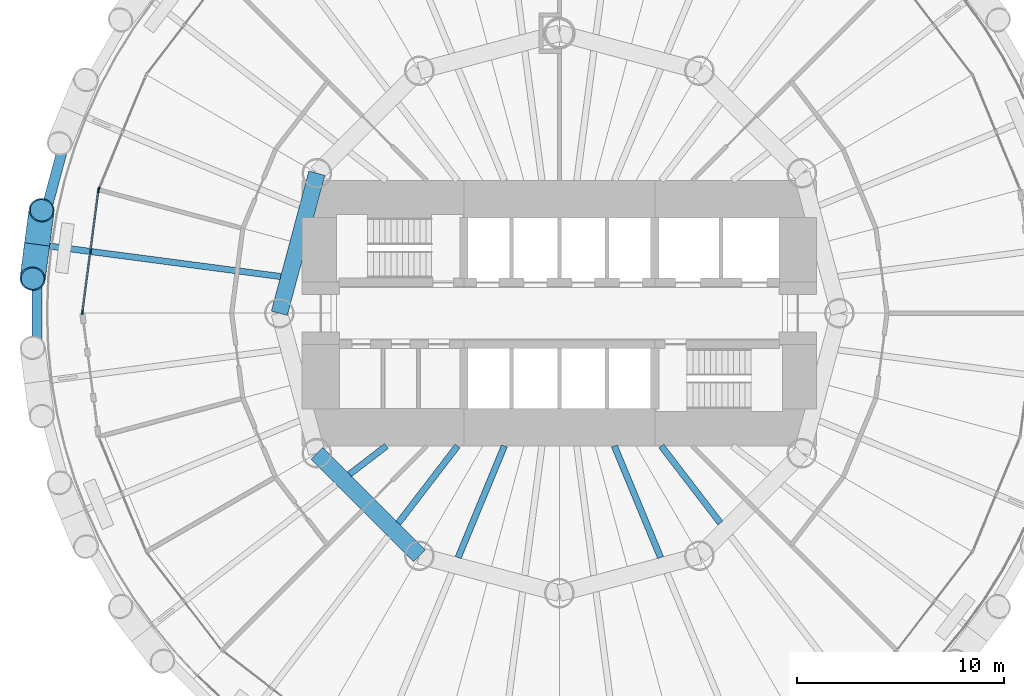
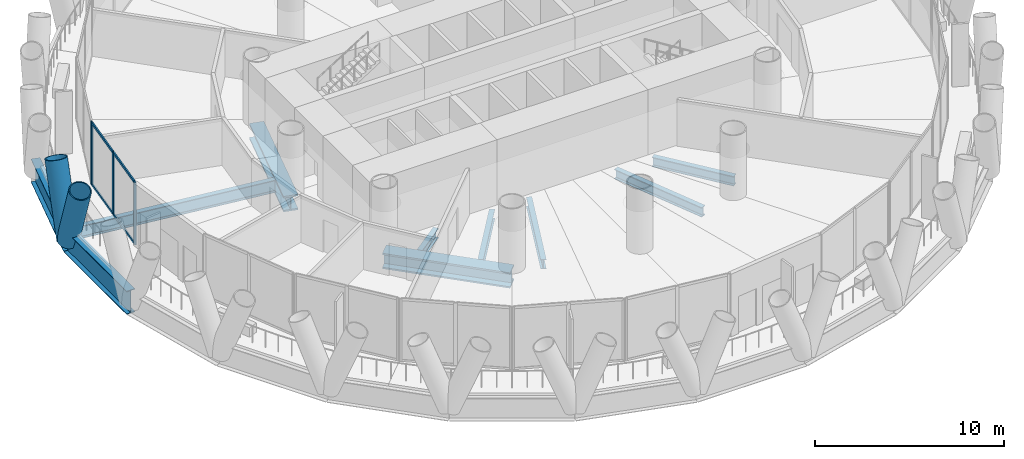
# One storey, part 3 of 14: 10 beams, 10 members, 2 elements without a shape of their own.
"""IFC4 building model written with IfcOpenShell, lengths in metres."""

from ifc_helpers import new_model, si_unit, direction, frame, origin, origin_2d, place, context, subcontext, project, spatial, rectangle, hollow_circle, i_section, extrude, material, material_profile, profile_set, type_object, element, aggregate, save


model = new_model("IFC4")

# Units and contexts
model_context = context("Model", 3, precision=1e-05, world=origin(), true_north=direction((0.0, 1.0)))
body_context = subcontext(model_context, "Body", "Model", "MODEL_VIEW")
ifc_project = project(units=[si_unit("LENGTHUNIT", "METRE"), si_unit("AREAUNIT", "SQUARE_METRE"), si_unit("VOLUMEUNIT", "CUBIC_METRE"), si_unit("PLANEANGLEUNIT", "RADIAN"), si_unit("MASSUNIT", "GRAM", prefix="KILO")], contexts=[model_context])

# Site, building, storey
site_placement = place(None, origin())
site = spatial("IfcSite", under=ifc_project, at=site_placement, CompositionType="ELEMENT")
building_placement = place(site_placement, origin())
building = spatial("IfcBuilding", under=site, at=building_placement, Name="Qaws Media Tower", CompositionType="ELEMENT")
storey_placement = place(building_placement, frame((0.0, 0.0, 68.0)))
storey = spatial("IfcBuildingStorey", under=building, at=storey_placement, Name="L14", CompositionType="ELEMENT", Elevation=68.0)

# Curtain wall, member
ifc_material_1 = material(Name="Aluminium and clear glass", Category="aluminium")
curtain_wall_type = type_object("IfcCurtainWallType", Name="Unitised curtain wall CW-A", PredefinedType="NOTDEFINED", material=ifc_material_1)
curtain_wall_1_placement = place(storey_placement, origin())
curtain_wall_1 = element("IfcCurtainWall", 1, at=curtain_wall_1_placement, inside=storey, type_object=curtain_wall_type, Name="CWA curtain wall L14-11", PredefinedType="NOTDEFINED")
ifc_material_2 = material(Name="Aluminium mullion", Category="aluminium")
ifc_material_profile_1 = material_profile(ifc_material_2, rectangle(XDim=0.080078125, YDim=0.199951171875, at=origin_2d()), Name="80x200")
ifc_profile_set_1 = profile_set([ifc_material_profile_1], Name="Aluminium mullion")
member_type_1 = type_object("IfcMemberType", Name="Curtain wall mullion 80x200", PredefinedType="MULLION", material=ifc_profile_set_1)
member_1_placement = place(storey_placement, frame((37.799072265625, 55.98974609375, 0.0), z_axis=(0.0, 0.0, 1.0), x_axis=(0.923879516795, -0.382683470307, 0.0)))
member_1 = element("IfcMember", 2, at=member_1_placement, type_object=member_type_1, Name="CWA mullion 3", PredefinedType="MULLION", context=body_context, shape_type="SweptSolid", body=[
    extrude(rectangle(XDim=0.080078125, YDim=0.199951171875, at=origin_2d()), origin(), (0.0, 0.0, 1.0), 4.0400390625),
])
aggregate(curtain_wall_1, [member_1])

# Curtain wall, members
curtain_wall_2_placement = place(storey_placement, origin())
curtain_wall_2 = element("IfcCurtainWall", 3, at=curtain_wall_2_placement, inside=storey, type_object=curtain_wall_type, Name="CWA curtain wall L14-12", PredefinedType="NOTDEFINED")
member_2_placement = place(storey_placement, frame((37.778564453125, 55.9130859375, 0.0), z_axis=(0.0, 0.0, 1.0), x_axis=(0.991444861167, -0.130526193795, 0.0)))
member_2 = element("IfcMember", 4, at=member_2_placement, type_object=member_type_1, Name="CWA mullion 1", PredefinedType="MULLION", context=body_context, shape_type="SweptSolid", body=[
    extrude(rectangle(XDim=0.080078125, YDim=0.199951171875, at=origin_2d()), origin(), (0.0, 0.0, 1.0), 4.0400390625),
])
member_3_placement = place(storey_placement, frame((37.391845703125, 52.976318359375, 0.0), z_axis=(0.0, 0.0, 1.0), x_axis=(0.991444861167, -0.130526193795, 0.0)))
member_3 = element("IfcMember", 5, at=member_3_placement, type_object=member_type_1, Name="CWA mullion 2", PredefinedType="MULLION", context=body_context, shape_type="SweptSolid", body=[
    extrude(rectangle(XDim=0.080078125, YDim=0.199951171875, at=origin_2d()), origin(), (0.0, 0.0, 1.0), 4.0400390625),
])
member_4_placement = place(storey_placement, frame((37.005126953125, 50.03955078125, 0.0), z_axis=(0.0, 0.0, 1.0), x_axis=(0.991444861167, -0.130526193795, 0.0)))
member_4 = element("IfcMember", 6, at=member_4_placement, type_object=member_type_1, Name="CWA mullion 3", PredefinedType="MULLION", context=body_context, shape_type="SweptSolid", body=[
    extrude(rectangle(XDim=0.080078125, YDim=0.199951171875, at=origin_2d()), origin(), (0.0, 0.0, 1.0), 4.0400390625),
])
ifc_material_3 = material(Name="Aluminium transom", Category="aluminium")
ifc_material_profile_2 = material_profile(ifc_material_3, rectangle(XDim=0.080078125, YDim=0.159912109375, at=origin_2d()), Name="80x160")
ifc_profile_set_2 = profile_set([ifc_material_profile_2], Name="Aluminium transom")
member_type_2 = type_object("IfcMemberType", Name="Curtain wall transom 80x160", PredefinedType="USERDEFINED", material=ifc_profile_set_2)
member_5_placement = place(storey_placement, frame((37.773193359375, 55.87353515625, 0.0400390625), z_axis=(-0.130537780274, -0.991443335709, 0.0), x_axis=(0.991443335709, -0.130537780274, 0.0)))
member_5 = element("IfcMember", 7, at=member_5_placement, type_object=member_type_2, Name="CWA transom 1.1", ObjectType="TRANSOM", PredefinedType="USERDEFINED", context=body_context, shape_type="SweptSolid", body=[
    extrude(rectangle(XDim=0.080078125, YDim=0.159912109375, at=origin_2d()), origin(), (0.0, 0.0, 1.0), 2.882080078125),
])
member_6_placement = place(storey_placement, frame((37.773193359375, 55.87353515625, 4.0), z_axis=(-0.130537780274, -0.991443335709, 0.0), x_axis=(0.991443335709, -0.130537780274, 0.0)))
member_6 = element("IfcMember", 8, at=member_6_placement, type_object=member_type_2, Name="CWA transom 1.2", ObjectType="TRANSOM", PredefinedType="USERDEFINED", context=body_context, shape_type="SweptSolid", body=[
    extrude(rectangle(XDim=0.080078125, YDim=0.159912109375, at=origin_2d()), origin(), (0.0, 0.0, 1.0), 2.882080078125),
])
member_7_placement = place(storey_placement, frame((37.38671875, 52.936767578125, 0.0400390625), z_axis=(-0.130537780274, -0.991443335709, 0.0), x_axis=(0.991443335709, -0.130537780274, 0.0)))
member_7 = element("IfcMember", 9, at=member_7_placement, type_object=member_type_2, Name="CWA transom 2.1", ObjectType="TRANSOM", PredefinedType="USERDEFINED", context=body_context, shape_type="SweptSolid", body=[
    extrude(rectangle(XDim=0.080078125, YDim=0.159912109375, at=origin_2d()), origin(), (0.0, 0.0, 1.0), 2.882080078125),
])
member_8_placement = place(storey_placement, frame((37.38671875, 52.936767578125, 4.0), z_axis=(-0.130537780274, -0.991443335709, 0.0), x_axis=(0.991443335709, -0.130537780274, 0.0)))
member_8 = element("IfcMember", 10, at=member_8_placement, type_object=member_type_2, Name="CWA transom 2.2", ObjectType="TRANSOM", PredefinedType="USERDEFINED", context=body_context, shape_type="SweptSolid", body=[
    extrude(rectangle(XDim=0.080078125, YDim=0.159912109375, at=origin_2d()), origin(), (0.0, 0.0, 1.0), 2.882080078125),
])
aggregate(curtain_wall_2, [member_2, member_3, member_4, member_5, member_6, member_7, member_8])

# Members
ifc_material_4 = material(Name="Steel S460", Category="steel")
ifc_material_profile_3 = material_profile(ifc_material_4, hollow_circle(Radius=0.609619140625, WallThickness=0.06005859375, at=origin_2d()), Name="CHS 1219x60")
ifc_profile_set_3 = profile_set([ifc_material_profile_3], Name="Steel S460")
member_type_3 = type_object("IfcMemberType", Name="Diagrid member CHS 1219x60", PredefinedType="USERDEFINED", material=ifc_profile_set_3)
for number, where, z_axis, x_axis, name in (
    (11, (34.8173828125, 53.3154296875, -0.909912109375), (-0.047122866406, -0.365418374584, 0.929649851814), (0.991787471747, -0.127896875978, 0.0), "DG1 diagrid L14 A12"),
    (12, (34.8173828125, 53.3154296875, -0.909912109375), (0.049068557688, 0.365150048786, 0.929654623244), (-0.991091589873, 0.133182057659, 0.0), "DG1 diagrid L14 B12"),
):
    element("IfcMember", number, at=place(storey_placement, frame(where, z_axis=z_axis, x_axis=x_axis)), inside=storey, type_object=member_type_3, Name=name, ObjectType="DIAGRID", PredefinedType="USERDEFINED", context=body_context, shape_type="SweptSolid", body=[
        extrude(hollow_circle(Radius=0.609619140625, WallThickness=0.06005859375, at=origin_2d()), origin(), (0.0, 0.0, 1.0), 4.517822265625),
    ])

# Beams
ifc_material_5 = material(Name="Steel S460", Category="steel")
ifc_material_profile_4 = material_profile(ifc_material_5, i_section(OverallWidth=0.5, OverallDepth=1.5, WebThickness=0.02001953125, FlangeThickness=0.0400390625, at=origin_2d()), Name="PG 1500x500")
ifc_profile_set_4 = profile_set([ifc_material_profile_4], Name="Steel S460")
beam_type_1 = type_object("IfcBeamType", Name="Edge ring beam PG 1500x500", PredefinedType="BEAM", material=ifc_profile_set_4)
beam_1_placement = place(storey_placement, frame((36.533447265625, 59.72021484375, -0.909912109375), z_axis=(-0.258806021256, -0.965929315924, 0.0), x_axis=(0.965929315924, -0.258806021256, 0.0)))
element("IfcBeam", 13, at=beam_1_placement, inside=storey, type_object=beam_type_1, Name="RB4 edge ring beam L14-11", PredefinedType="BEAM", context=body_context, shape_type="SweptSolid", body=[
    extrude(i_section(OverallWidth=0.5, OverallDepth=1.5, WebThickness=0.02001953125, FlangeThickness=0.0400390625, at=origin_2d()), origin(), (0.0, 0.0, 1.0), 6.630615234375),
])
beam_2_placement = place(storey_placement, frame((34.8173828125, 53.3154296875, -0.909912109375), z_axis=(0.0, -1.0, 0.0), x_axis=(1.0, 0.0, 0.0)))
element("IfcBeam", 14, at=beam_2_placement, inside=storey, type_object=beam_type_1, Name="RB4 edge ring beam L14-12", PredefinedType="BEAM", context=body_context, shape_type="SweptSolid", body=[
    extrude(i_section(OverallWidth=0.5, OverallDepth=1.5, WebThickness=0.02001953125, FlangeThickness=0.0400390625, at=origin_2d()), origin(), (0.0, 0.0, 1.0), 6.630859375),
])
ifc_material_6 = material(Name="Steel S460", Category="steel")
ifc_material_profile_5 = material_profile(ifc_material_6, i_section(OverallWidth=0.800048828125, OverallDepth=1.0, WebThickness=0.0400390625, FlangeThickness=0.10009765625, at=origin_2d()), Name="PG 1000x800")
ifc_profile_set_5 = profile_set([ifc_material_profile_5], Name="Steel S460")
beam_type_2 = type_object("IfcBeamType", Name="Inner ring girder PG 1000x800", PredefinedType="BEAM", material=ifc_profile_set_5)
beam_3_placement = place(storey_placement, frame((48.30859375, 56.75, -0.659912109375), z_axis=(-0.258810593767, -0.965928090778, 0.0), x_axis=(0.965928090778, -0.258810593767, 0.0)))
element("IfcBeam", 15, at=beam_3_placement, inside=storey, type_object=beam_type_2, Name="B3 inner ring beam L14 I06-I07", PredefinedType="BEAM", context=body_context, shape_type="SweptSolid", body=[
    extrude(i_section(OverallWidth=0.800048828125, OverallDepth=1.0, WebThickness=0.0400390625, FlangeThickness=0.10009765625, at=origin_2d()), origin(), (0.0, 0.0, 1.0), 6.988037109375),
])
beam_4_placement = place(storey_placement, frame((48.30859375, 43.25, -0.659912109375), z_axis=(0.707106781187, -0.707106781187, 0.0), x_axis=(0.707106781187, 0.707106781187, 0.0)))
element("IfcBeam", 16, at=beam_4_placement, inside=storey, type_object=beam_type_2, Name="B3 inner ring beam L14 I08-I09", PredefinedType="BEAM", context=body_context, shape_type="SweptSolid", body=[
    extrude(i_section(OverallWidth=0.800048828125, OverallDepth=1.0, WebThickness=0.0400390625, FlangeThickness=0.10009765625, at=origin_2d()), origin(), (0.0, 0.0, 1.0), 6.98828125),
])
ifc_material_7 = material(Name="Steel S355", Category="steel")
ifc_material_profile_6 = material_profile(ifc_material_7, i_section(OverallWidth=0.304931640625, OverallDepth=0.6201171875, WebThickness=0.02099609375, FlangeThickness=0.0400390625, FilletRadius=0.027099609375, at=origin_2d()), Name="HE 600 M")
ifc_profile_set_6 = profile_set([ifc_material_profile_6], Name="Steel S355")
beam_type_3 = type_object("IfcBeamType", Name="Radial beam HE 600 M, core side", PredefinedType="BEAM", material=ifc_profile_set_6)
beam_5_placement = place(storey_placement, frame((51.659423828125, 43.60009765625, -0.469970703125), z_axis=(-0.793321589474, -0.608802805245, 0.0), x_axis=(0.608802805245, -0.793321589474, 0.0)))
element("IfcBeam", 17, at=beam_5_placement, inside=storey, type_object=beam_type_3, Name="B2 radial beam L14 15", PredefinedType="BEAM", context=body_context, shape_type="SweptSolid", body=[
    extrude(i_section(OverallWidth=0.304931640625, OverallDepth=0.6201171875, WebThickness=0.02099609375, FlangeThickness=0.0400390625, FilletRadius=0.027099609375, at=origin_2d()), origin(), (0.0, 0.0, 1.0), 2.236083984375),
])
beam_6_placement = place(storey_placement, frame((55.089111328125, 43.60009765625, -0.469970703125), z_axis=(-0.608765363283, -0.793350321401, 0.0), x_axis=(0.793350321401, -0.608765363283, 0.0)))
element("IfcBeam", 18, at=beam_6_placement, inside=storey, type_object=beam_type_3, Name="B2 radial beam L14 16", PredefinedType="BEAM", context=body_context, shape_type="SweptSolid", body=[
    extrude(i_section(OverallWidth=0.304931640625, OverallDepth=0.6201171875, WebThickness=0.02099609375, FlangeThickness=0.0400390625, FilletRadius=0.027099609375, at=origin_2d()), origin(), (0.0, 0.0, 1.0), 4.68212890625),
])
for number, where, z_axis, x_axis, name in (
    (19, (57.34912109375, 43.60009765625, -0.469970703125), (-0.38269993354, -0.923872697328, 0.0), (0.923872697328, -0.38269993354, 0.0), "B2 radial beam L14 17"),
    (20, (62.65087890625, 43.60009765625, -0.469970703125), (0.38269993354, -0.923872697328, 0.0), (0.923872697328, 0.38269993354, 0.0), "B2 radial beam L14 20"),
):
    element("IfcBeam", number, at=place(storey_placement, frame(where, z_axis=z_axis, x_axis=x_axis)), inside=storey, type_object=beam_type_3, Name=name, PredefinedType="BEAM", context=body_context, shape_type="SweptSolid", body=[
        extrude(i_section(OverallWidth=0.304931640625, OverallDepth=0.6201171875, WebThickness=0.02099609375, FlangeThickness=0.0400390625, FilletRadius=0.027099609375, at=origin_2d()), origin(), (0.0, 0.0, 1.0), 5.82177734375),
    ])
beam_7_placement = place(storey_placement, frame((64.910888671875, 43.60009765625, -0.469970703125), z_axis=(0.608765363283, -0.793350321401, 0.0), x_axis=(0.793350321401, 0.608765363283, 0.0)))
element("IfcBeam", 21, at=beam_7_placement, inside=storey, type_object=beam_type_3, Name="B2 radial beam L14 21", PredefinedType="BEAM", context=body_context, shape_type="SweptSolid", body=[
    extrude(i_section(OverallWidth=0.304931640625, OverallDepth=0.6201171875, WebThickness=0.02099609375, FlangeThickness=0.0400390625, FilletRadius=0.027099609375, at=origin_2d()), origin(), (0.0, 0.0, 1.0), 4.68212890625),
])
ifc_material_8 = material(Name="Steel S355", Category="steel")
ifc_material_profile_7 = material_profile(ifc_material_8, i_section(OverallWidth=0.300048828125, OverallDepth=0.800048828125, WebThickness=0.017578125, FlangeThickness=0.032958984375, FilletRadius=0.030029296875, at=origin_2d()), Name="HE 800 B")
ifc_profile_set_7 = profile_set([ifc_material_profile_7], Name="Steel S355")
beam_type_4 = type_object("IfcBeamType", Name="Radial beam HE 800 B", PredefinedType="BEAM", material=ifc_profile_set_7)
beam_8_placement = place(storey_placement, frame((46.56005859375, 51.769287109375, -0.56005859375), z_axis=(-0.991442785465, 0.13054195934, 0.0), x_axis=(-0.13054195934, -0.991442785465, 0.0)))
element("IfcBeam", 22, at=beam_8_placement, inside=storey, type_object=beam_type_4, Name="B1 radial beam L14 12", PredefinedType="BEAM", context=body_context, shape_type="SweptSolid", body=[
    extrude(i_section(OverallWidth=0.300048828125, OverallDepth=0.800048828125, WebThickness=0.017578125, FlangeThickness=0.032958984375, FilletRadius=0.030029296875, at=origin_2d()), origin(), (0.0, 0.0, 1.0), 11.843994140625),
])

save(model, "model.ifc")
